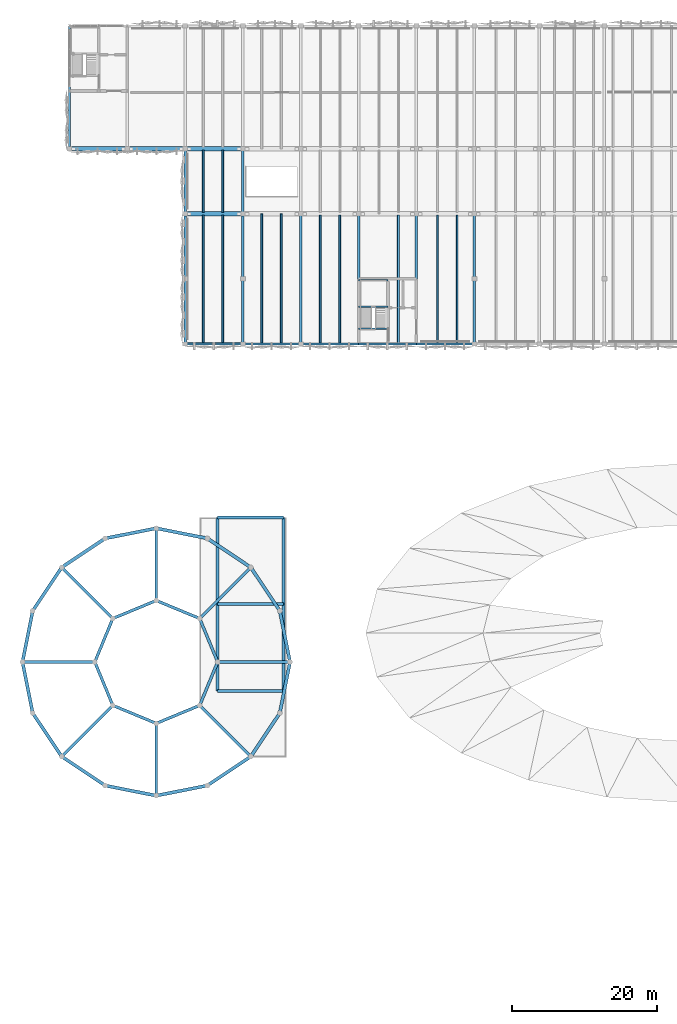
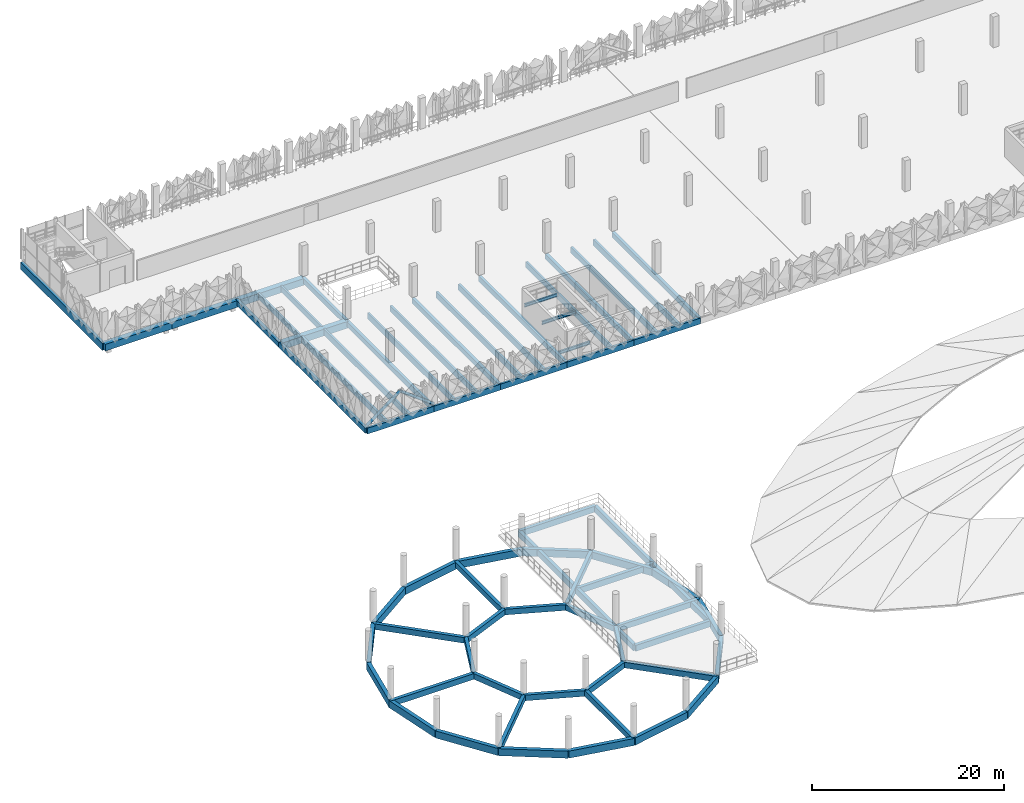
# One storey, part 8 of 52: 71 beams, 2 members.
"""IFC4 building model written with IfcOpenShell, lengths in metres."""

from ifc_helpers import new_model, si_unit, derived_unit, direction, frame, origin, origin_2d, place, context, subcontext, project, spatial, rectangle, hollow_circle, i_section, extrude, material, material_profile, profile_set, type_object, element, save


model = new_model("IFC4")

# Units and contexts
model_context = context("Model", 3, precision=1e-05, world=origin(), true_north=direction((0.0, 1.0)))
body_context = subcontext(model_context, "Body", "Model", "MODEL_VIEW")
ifc_project = project(units=[si_unit("LENGTHUNIT", "METRE"), si_unit("AREAUNIT", "SQUARE_METRE"), si_unit("VOLUMEUNIT", "CUBIC_METRE"), si_unit("PLANEANGLEUNIT", "RADIAN"), si_unit("MASSUNIT", "GRAM", prefix="KILO"), si_unit("THERMODYNAMICTEMPERATUREUNIT", "KELVIN"), derived_unit("THERMALTRANSMITTANCEUNIT", [(si_unit("POWERUNIT", "WATT"), 1), (si_unit("AREAUNIT", "SQUARE_METRE"), -1), (si_unit("THERMODYNAMICTEMPERATUREUNIT", "KELVIN"), -1)])], contexts=[model_context])

# Site, building, storey
site_placement = place(None, origin())
site = spatial("IfcSite", under=ifc_project, at=site_placement, CompositionType="ELEMENT")
building_placement = place(site_placement, origin())
building = spatial("IfcBuilding", under=site, at=building_placement, Name="Haiyu Intermodal Mobility Hub", CompositionType="ELEMENT")
storey_placement = place(building_placement, frame((0.0, 0.0, 21.199951171875)))
storey = spatial("IfcBuildingStorey", under=building, at=storey_placement, Name="L05", CompositionType="ELEMENT", Elevation=21.199951171875)

# Beams
ifc_material_1 = material(Name="Concrete C40", Category="concrete")
ifc_material_profile_1 = material_profile(ifc_material_1, rectangle(XDim=0.39990234375, YDim=0.75, at=origin_2d()), Name="RCB400x750")
ifc_profile_set_1 = profile_set([ifc_material_profile_1], Name="Concrete C40")
beam_type_1 = type_object("IfcBeamType", Name="BM-CB03", PredefinedType="BEAM", material=ifc_profile_set_1)
for number, where, z_axis, x_axis, name in (
    (1, (42.5, 56.0, -0.655029296875), (1.0, 0.0, 0.0), (0.0, 1.0, 0.0), "BM-RMPL-L05-033"),
    (2, (42.5, 68.0, -0.655029296875), (1.0, 0.0, 0.0), (0.0, 1.0, 0.0), "BM-RMPL-L05-034"),
    (3, (42.5, 80.0, -0.655029296875), (1.0, 0.0, 0.0), (0.0, 1.0, 0.0), "BM-RMPL-L05-035"),
):
    element("IfcBeam", number, at=place(storey_placement, frame(where, z_axis=z_axis, x_axis=x_axis)), inside=storey, type_object=beam_type_1, Name=name, PredefinedType="BEAM", context=body_context, shape_type="SweptSolid", body=[
        extrude(rectangle(XDim=0.39990234375, YDim=0.75, at=origin_2d()), origin(), (0.0, 0.0, 1.0), 9.10009765625),
    ])
for number, where, z_axis, x_axis, name in (
    (4, (51.60009765625, 56.0, -0.655029296875), (0.0, 1.0, 0.0), (-1.0, 0.0, 0.0), "BM-RMPLE-L05-036"),
    (5, (42.5, 56.0, -0.655029296875), (0.0, 1.0, 0.0), (-1.0, 0.0, 0.0), "BM-RMPLW-L05-037"),
    (6, (51.60009765625, 68.0, -0.655029296875), (0.0, 1.0, 0.0), (-1.0, 0.0, 0.0), "BM-RMPLE-L05-038"),
    (7, (42.5, 68.0, -0.655029296875), (0.0, 1.0, 0.0), (-1.0, 0.0, 0.0), "BM-RMPLW-L05-039"),
):
    element("IfcBeam", number, at=place(storey_placement, frame(where, z_axis=z_axis, x_axis=x_axis)), inside=storey, type_object=beam_type_1, Name=name, PredefinedType="BEAM", context=body_context, shape_type="SweptSolid", body=[
        extrude(rectangle(XDim=0.39990234375, YDim=0.75, at=origin_2d()), origin(), (0.0, 0.0, 1.0), 12.0),
    ])
ifc_material_profile_2 = material_profile(ifc_material_1, rectangle(XDim=0.35009765625, YDim=0.64990234375, at=origin_2d()), Name="RCB350x650")
ifc_profile_set_2 = profile_set([ifc_material_profile_2], Name="Concrete C40")
beam_type_2 = type_object("IfcBeamType", Name="BM-CB04", PredefinedType="BEAM", material=ifc_profile_set_2)
beam_1_placement = place(storey_placement, frame((38.0, 104.0, -0.599853515625), z_axis=(0.0, 1.0, 0.0), x_axis=(-1.0, 0.0, 0.0)))
element("IfcBeam", 8, at=beam_1_placement, inside=storey, type_object=beam_type_2, Name="BM-V4E-L05-003", PredefinedType="BEAM", context=body_context, shape_type="SweptSolid", body=[
    extrude(rectangle(XDim=0.35009765625, YDim=0.64990234375, at=origin_2d()), origin(), (0.0, 0.0, 1.0), 18.0),
])
beam_2_placement = place(storey_placement, frame((38.0, 122.0, -0.599853515625), z_axis=(0.0, 1.0, 0.0), x_axis=(-1.0, 0.0, 0.0)))
element("IfcBeam", 9, at=beam_2_placement, inside=storey, type_object=beam_type_2, Name="BM-V4E-L05-004", PredefinedType="BEAM", context=body_context, shape_type="SweptSolid", body=[
    extrude(rectangle(XDim=0.35009765625, YDim=0.64990234375, at=origin_2d()), origin(), (0.0, 0.0, 1.0), 9.0),
])
beam_3_placement = place(storey_placement, frame((46.0, 104.0, -0.599853515625), z_axis=(0.0, 1.0, 0.0), x_axis=(-1.0, 0.0, 0.0)))
element("IfcBeam", 10, at=beam_3_placement, inside=storey, type_object=beam_type_2, Name="BM-V4E-L05-006", PredefinedType="BEAM", context=body_context, shape_type="SweptSolid", body=[
    extrude(rectangle(XDim=0.35009765625, YDim=0.64990234375, at=origin_2d()), origin(), (0.0, 0.0, 1.0), 18.0),
])
beam_4_placement = place(storey_placement, frame((46.0, 122.0, -0.599853515625), z_axis=(0.0, 1.0, 0.0), x_axis=(-1.0, 0.0, 0.0)))
element("IfcBeam", 11, at=beam_4_placement, inside=storey, type_object=beam_type_2, Name="BM-V4E-L05-007", PredefinedType="BEAM", context=body_context, shape_type="SweptSolid", body=[
    extrude(rectangle(XDim=0.35009765625, YDim=0.64990234375, at=origin_2d()), origin(), (0.0, 0.0, 1.0), 9.0),
])
for number, where, z_axis, x_axis, name in (
    (12, (54.0, 104.0, -0.599853515625), (0.0, 1.0, 0.0), (-1.0, 0.0, 0.0), "BM-V4E-L05-009"),
    (13, (62.0, 104.0, -0.599853515625), (0.0, 1.0, 0.0), (-1.0, 0.0, 0.0), "BM-V4E-L05-012"),
    (14, (70.0, 104.0, -0.599853515625), (0.0, 1.0, 0.0), (-1.0, 0.0, 0.0), "BM-V4E-L05-015"),
    (15, (78.0, 104.0, -0.599853515625), (0.0, 1.0, 0.0), (-1.0, 0.0, 0.0), "BM-V4E-L05-018"),
):
    element("IfcBeam", number, at=place(storey_placement, frame(where, z_axis=z_axis, x_axis=x_axis)), inside=storey, type_object=beam_type_2, Name=name, PredefinedType="BEAM", context=body_context, shape_type="SweptSolid", body=[
        extrude(rectangle(XDim=0.35009765625, YDim=0.64990234375, at=origin_2d()), origin(), (0.0, 0.0, 1.0), 18.0),
    ])
ifc_material_profile_3 = material_profile(ifc_material_1, rectangle(XDim=0.449951171875, YDim=0.89990234375, at=origin_2d()), Name="RCB450x900")
ifc_profile_set_3 = profile_set([ifc_material_profile_3], Name="Concrete C40")
beam_type_3 = type_object("IfcBeamType", Name="BM-CB10", PredefinedType="BEAM", material=ifc_profile_set_3)
beam_5_placement = place(storey_placement, frame((52.5, 60.0, -0.72998046875), z_axis=(-0.195042866972, 0.980794718605, 0.0), x_axis=(-0.980794718605, -0.195042866972, 0.0)))
element("IfcBeam", 16, at=beam_5_placement, inside=storey, type_object=beam_type_3, Name="BM-RMP-O-L05-001", PredefinedType="BEAM", context=body_context, shape_type="SweptSolid", body=[
    extrude(rectangle(XDim=0.449951171875, YDim=0.89990234375, at=origin_2d()), origin(), (0.0, 0.0, 1.0), 7.21875),
])
for number, where, z_axis, x_axis, name in (
    (17, (51.092041015625, 67.080078125, -0.72998046875), (-0.555691099877, 0.831388838942, 0.0), (-0.831388838942, -0.555691099877, 0.0), "BM-RMP-O-L05-002"),
    (18, (47.0810546875, 73.0810546875, -0.72998046875), (-0.831388838942, 0.555691099877, 0.0), (-0.555691099877, -0.831388838942, 0.0), "BM-RMP-O-L05-003"),
):
    element("IfcBeam", number, at=place(storey_placement, frame(where, z_axis=z_axis, x_axis=x_axis)), inside=storey, type_object=beam_type_3, Name=name, PredefinedType="BEAM", context=body_context, shape_type="SweptSolid", body=[
        extrude(rectangle(XDim=0.449951171875, YDim=0.89990234375, at=origin_2d()), origin(), (0.0, 0.0, 1.0), 7.218017578125),
    ])
for number, where, z_axis, x_axis, name in (
    (19, (41.080078125, 77.092041015625, -0.72998046875), (-0.980794718605, 0.195042866972, 0.0), (-0.195042866972, -0.980794718605, 0.0), "BM-RMP-O-L05-004"),
    (20, (34.0, 78.5, -0.72998046875), (-0.980794718605, -0.195042866972, 0.0), (0.195042866972, -0.980794718605, 0.0), "BM-RMP-O-L05-005"),
):
    element("IfcBeam", number, at=place(storey_placement, frame(where, z_axis=z_axis, x_axis=x_axis)), inside=storey, type_object=beam_type_3, Name=name, PredefinedType="BEAM", context=body_context, shape_type="SweptSolid", body=[
        extrude(rectangle(XDim=0.449951171875, YDim=0.89990234375, at=origin_2d()), origin(), (0.0, 0.0, 1.0), 7.21875),
    ])
for number, where, z_axis, x_axis, name in (
    (21, (26.919921875, 77.092041015625, -0.72998046875), (-0.831388838942, -0.555691099877, 0.0), (0.555691099877, -0.831388838942, 0.0), "BM-RMP-O-L05-006"),
    (22, (20.9189453125, 73.0810546875, -0.72998046875), (-0.555691099877, -0.831388838942, 0.0), (0.831388838942, -0.555691099877, 0.0), "BM-RMP-O-L05-007"),
):
    element("IfcBeam", number, at=place(storey_placement, frame(where, z_axis=z_axis, x_axis=x_axis)), inside=storey, type_object=beam_type_3, Name=name, PredefinedType="BEAM", context=body_context, shape_type="SweptSolid", body=[
        extrude(rectangle(XDim=0.449951171875, YDim=0.89990234375, at=origin_2d()), origin(), (0.0, 0.0, 1.0), 7.218017578125),
    ])
for number, where, z_axis, x_axis, name in (
    (23, (16.907958984375, 67.080078125, -0.72998046875), (-0.195042866972, -0.980794718605, 0.0), (0.980794718605, -0.195042866972, 0.0), "BM-RMP-O-L05-008"),
    (24, (15.5, 60.0, -0.72998046875), (0.195042866972, -0.980794718605, 0.0), (0.980794718605, 0.195042866972, 0.0), "BM-RMP-O-L05-009"),
):
    element("IfcBeam", number, at=place(storey_placement, frame(where, z_axis=z_axis, x_axis=x_axis)), inside=storey, type_object=beam_type_3, Name=name, PredefinedType="BEAM", context=body_context, shape_type="SweptSolid", body=[
        extrude(rectangle(XDim=0.449951171875, YDim=0.89990234375, at=origin_2d()), origin(), (0.0, 0.0, 1.0), 7.21875),
    ])
for number, where, z_axis, x_axis, name in (
    (25, (16.907958984375, 52.919921875, -0.72998046875), (0.555691099877, -0.831388838942, 0.0), (0.831388838942, 0.555691099877, 0.0), "BM-RMP-O-L05-010"),
    (26, (20.9189453125, 46.9189453125, -0.72998046875), (0.831388838942, -0.555691099877, 0.0), (0.555691099877, 0.831388838942, 0.0), "BM-RMP-O-L05-011"),
):
    element("IfcBeam", number, at=place(storey_placement, frame(where, z_axis=z_axis, x_axis=x_axis)), inside=storey, type_object=beam_type_3, Name=name, PredefinedType="BEAM", context=body_context, shape_type="SweptSolid", body=[
        extrude(rectangle(XDim=0.449951171875, YDim=0.89990234375, at=origin_2d()), origin(), (0.0, 0.0, 1.0), 7.218017578125),
    ])
for number, where, z_axis, x_axis, name in (
    (27, (26.919921875, 42.907958984375, -0.72998046875), (0.980794718605, -0.195042866972, 0.0), (0.195042866972, 0.980794718605, 0.0), "BM-RMP-O-L05-012"),
    (28, (34.0, 41.5, -0.72998046875), (0.980794718605, 0.195042866972, 0.0), (-0.195042866972, 0.980794718605, 0.0), "BM-RMP-O-L05-013"),
):
    element("IfcBeam", number, at=place(storey_placement, frame(where, z_axis=z_axis, x_axis=x_axis)), inside=storey, type_object=beam_type_3, Name=name, PredefinedType="BEAM", context=body_context, shape_type="SweptSolid", body=[
        extrude(rectangle(XDim=0.449951171875, YDim=0.89990234375, at=origin_2d()), origin(), (0.0, 0.0, 1.0), 7.21875),
    ])
for number, where, z_axis, x_axis, name in (
    (29, (41.080078125, 42.907958984375, -0.72998046875), (0.831388838942, 0.555691099877, 0.0), (-0.555691099877, 0.831388838942, 0.0), "BM-RMP-O-L05-014"),
    (30, (47.0810546875, 46.9189453125, -0.72998046875), (0.555691099877, 0.831388838942, 0.0), (-0.831388838942, 0.555691099877, 0.0), "BM-RMP-O-L05-015"),
):
    element("IfcBeam", number, at=place(storey_placement, frame(where, z_axis=z_axis, x_axis=x_axis)), inside=storey, type_object=beam_type_3, Name=name, PredefinedType="BEAM", context=body_context, shape_type="SweptSolid", body=[
        extrude(rectangle(XDim=0.449951171875, YDim=0.89990234375, at=origin_2d()), origin(), (0.0, 0.0, 1.0), 7.218017578125),
    ])
beam_6_placement = place(storey_placement, frame((51.092041015625, 52.919921875, -0.72998046875), z_axis=(0.195042866972, 0.980794718605, 0.0), x_axis=(-0.980794718605, 0.195042866972, 0.0)))
element("IfcBeam", 31, at=beam_6_placement, inside=storey, type_object=beam_type_3, Name="BM-RMP-O-L05-016", PredefinedType="BEAM", context=body_context, shape_type="SweptSolid", body=[
    extrude(rectangle(XDim=0.449951171875, YDim=0.89990234375, at=origin_2d()), origin(), (0.0, 0.0, 1.0), 7.21875),
])
ifc_material_profile_4 = material_profile(ifc_material_1, rectangle(XDim=0.39990234375, YDim=0.719970703125, at=origin_2d()), Name="RCB400x720")
ifc_profile_set_4 = profile_set([ifc_material_profile_4], Name="Concrete C40")
beam_type_4 = type_object("IfcBeamType", Name="BM-CB11", PredefinedType="BEAM", material=ifc_profile_set_4)
beam_7_placement = place(storey_placement, frame((42.5, 60.0, -0.639892578125), z_axis=(-0.382757258538, 0.923848949253, 0.0), x_axis=(-0.923848949253, -0.382757258538, 0.0)))
element("IfcBeam", 32, at=beam_7_placement, inside=storey, type_object=beam_type_4, Name="BM-RMP-I-L05-017", PredefinedType="BEAM", context=body_context, shape_type="SweptSolid", body=[
    extrude(rectangle(XDim=0.39990234375, YDim=0.719970703125, at=origin_2d()), origin(), (0.0, 0.0, 1.0), 6.50537109375),
])
beam_8_placement = place(storey_placement, frame((42.5, 60.0, -0.639892578125), z_axis=(1.0, 0.0, 0.0), x_axis=(0.0, 1.0, 0.0)))
element("IfcBeam", 33, at=beam_8_placement, inside=storey, type_object=beam_type_4, Name="BM-RMP-R-L05-018", PredefinedType="BEAM", context=body_context, shape_type="SweptSolid", body=[
    extrude(rectangle(XDim=0.39990234375, YDim=0.719970703125, at=origin_2d()), origin(), (0.0, 0.0, 1.0), 10.0),
])
beam_9_placement = place(storey_placement, frame((40.010009765625, 66.010009765625, -0.639892578125), z_axis=(-0.923848949253, 0.382757258538, 0.0), x_axis=(-0.382757258538, -0.923848949253, 0.0)))
element("IfcBeam", 34, at=beam_9_placement, inside=storey, type_object=beam_type_4, Name="BM-RMP-I-L05-019", PredefinedType="BEAM", context=body_context, shape_type="SweptSolid", body=[
    extrude(rectangle(XDim=0.39990234375, YDim=0.719970703125, at=origin_2d()), origin(), (0.0, 0.0, 1.0), 6.50537109375),
])
beam_10_placement = place(storey_placement, frame((40.010009765625, 66.010009765625, -0.639892578125), z_axis=(0.707106781187, 0.707106781187, 0.0), x_axis=(-0.707106781187, 0.707106781187, 0.0)))
element("IfcBeam", 35, at=beam_10_placement, inside=storey, type_object=beam_type_4, Name="BM-RMP-R-L05-020", PredefinedType="BEAM", context=body_context, shape_type="SweptSolid", body=[
    extrude(rectangle(XDim=0.39990234375, YDim=0.719970703125, at=origin_2d()), origin(), (0.0, 0.0, 1.0), 10.0),
])
beam_11_placement = place(storey_placement, frame((34.0, 68.5, -0.639892578125), z_axis=(-0.923848949253, -0.382757258538, 0.0), x_axis=(0.382757258538, -0.923848949253, 0.0)))
element("IfcBeam", 36, at=beam_11_placement, inside=storey, type_object=beam_type_4, Name="BM-RMP-I-L05-021", PredefinedType="BEAM", context=body_context, shape_type="SweptSolid", body=[
    extrude(rectangle(XDim=0.39990234375, YDim=0.719970703125, at=origin_2d()), origin(), (0.0, 0.0, 1.0), 6.50537109375),
])
beam_12_placement = place(storey_placement, frame((34.0, 68.5, -0.639892578125), z_axis=(0.0, 1.0, 0.0), x_axis=(-1.0, 0.0, 0.0)))
element("IfcBeam", 37, at=beam_12_placement, inside=storey, type_object=beam_type_4, Name="BM-RMP-R-L05-022", PredefinedType="BEAM", context=body_context, shape_type="SweptSolid", body=[
    extrude(rectangle(XDim=0.39990234375, YDim=0.719970703125, at=origin_2d()), origin(), (0.0, 0.0, 1.0), 10.0),
])
beam_13_placement = place(storey_placement, frame((27.989990234375, 66.010009765625, -0.639892578125), z_axis=(-0.382757258538, -0.923848949253, 0.0), x_axis=(0.923848949253, -0.382757258538, 0.0)))
element("IfcBeam", 38, at=beam_13_placement, inside=storey, type_object=beam_type_4, Name="BM-RMP-I-L05-023", PredefinedType="BEAM", context=body_context, shape_type="SweptSolid", body=[
    extrude(rectangle(XDim=0.39990234375, YDim=0.719970703125, at=origin_2d()), origin(), (0.0, 0.0, 1.0), 6.50537109375),
])
beam_14_placement = place(storey_placement, frame((27.989990234375, 66.010009765625, -0.639892578125), z_axis=(-0.707106781187, 0.707106781187, 0.0), x_axis=(-0.707106781187, -0.707106781187, 0.0)))
element("IfcBeam", 39, at=beam_14_placement, inside=storey, type_object=beam_type_4, Name="BM-RMP-R-L05-024", PredefinedType="BEAM", context=body_context, shape_type="SweptSolid", body=[
    extrude(rectangle(XDim=0.39990234375, YDim=0.719970703125, at=origin_2d()), origin(), (0.0, 0.0, 1.0), 10.0),
])
beam_15_placement = place(storey_placement, frame((25.5, 60.0, -0.639892578125), z_axis=(0.382757258538, -0.923848949253, 0.0), x_axis=(0.923848949253, 0.382757258538, 0.0)))
element("IfcBeam", 40, at=beam_15_placement, inside=storey, type_object=beam_type_4, Name="BM-RMP-I-L05-025", PredefinedType="BEAM", context=body_context, shape_type="SweptSolid", body=[
    extrude(rectangle(XDim=0.39990234375, YDim=0.719970703125, at=origin_2d()), origin(), (0.0, 0.0, 1.0), 6.50537109375),
])
beam_16_placement = place(storey_placement, frame((25.5, 60.0, -0.639892578125), z_axis=(-1.0, 0.0, 0.0), x_axis=(0.0, -1.0, 0.0)))
element("IfcBeam", 41, at=beam_16_placement, inside=storey, type_object=beam_type_4, Name="BM-RMP-R-L05-026", PredefinedType="BEAM", context=body_context, shape_type="SweptSolid", body=[
    extrude(rectangle(XDim=0.39990234375, YDim=0.719970703125, at=origin_2d()), origin(), (0.0, 0.0, 1.0), 10.0),
])
beam_17_placement = place(storey_placement, frame((27.989990234375, 53.989990234375, -0.639892578125), z_axis=(0.923848949253, -0.382757258538, 0.0), x_axis=(0.382757258538, 0.923848949253, 0.0)))
element("IfcBeam", 42, at=beam_17_placement, inside=storey, type_object=beam_type_4, Name="BM-RMP-I-L05-027", PredefinedType="BEAM", context=body_context, shape_type="SweptSolid", body=[
    extrude(rectangle(XDim=0.39990234375, YDim=0.719970703125, at=origin_2d()), origin(), (0.0, 0.0, 1.0), 6.50537109375),
])
beam_18_placement = place(storey_placement, frame((27.989990234375, 53.989990234375, -0.639892578125), z_axis=(-0.707106781187, -0.707106781187, 0.0), x_axis=(0.707106781187, -0.707106781187, 0.0)))
element("IfcBeam", 43, at=beam_18_placement, inside=storey, type_object=beam_type_4, Name="BM-RMP-R-L05-028", PredefinedType="BEAM", context=body_context, shape_type="SweptSolid", body=[
    extrude(rectangle(XDim=0.39990234375, YDim=0.719970703125, at=origin_2d()), origin(), (0.0, 0.0, 1.0), 10.0),
])
beam_19_placement = place(storey_placement, frame((34.0, 51.5, -0.639892578125), z_axis=(0.923848949253, 0.382757258538, 0.0), x_axis=(-0.382757258538, 0.923848949253, 0.0)))
element("IfcBeam", 44, at=beam_19_placement, inside=storey, type_object=beam_type_4, Name="BM-RMP-I-L05-029", PredefinedType="BEAM", context=body_context, shape_type="SweptSolid", body=[
    extrude(rectangle(XDim=0.39990234375, YDim=0.719970703125, at=origin_2d()), origin(), (0.0, 0.0, 1.0), 6.50537109375),
])
beam_20_placement = place(storey_placement, frame((34.0, 51.5, -0.639892578125), z_axis=(0.0, -1.0, 0.0), x_axis=(1.0, 0.0, 0.0)))
element("IfcBeam", 45, at=beam_20_placement, inside=storey, type_object=beam_type_4, Name="BM-RMP-R-L05-030", PredefinedType="BEAM", context=body_context, shape_type="SweptSolid", body=[
    extrude(rectangle(XDim=0.39990234375, YDim=0.719970703125, at=origin_2d()), origin(), (0.0, 0.0, 1.0), 10.0),
])
beam_21_placement = place(storey_placement, frame((40.010009765625, 53.989990234375, -0.639892578125), z_axis=(0.382757258538, 0.923848949253, 0.0), x_axis=(-0.923848949253, 0.382757258538, 0.0)))
element("IfcBeam", 46, at=beam_21_placement, inside=storey, type_object=beam_type_4, Name="BM-RMP-I-L05-031", PredefinedType="BEAM", context=body_context, shape_type="SweptSolid", body=[
    extrude(rectangle(XDim=0.39990234375, YDim=0.719970703125, at=origin_2d()), origin(), (0.0, 0.0, 1.0), 6.50537109375),
])
beam_22_placement = place(storey_placement, frame((40.010009765625, 53.989990234375, -0.639892578125), z_axis=(0.707106781187, -0.707106781187, 0.0), x_axis=(0.707106781187, 0.707106781187, 0.0)))
element("IfcBeam", 47, at=beam_22_placement, inside=storey, type_object=beam_type_4, Name="BM-RMP-R-L05-032", PredefinedType="BEAM", context=body_context, shape_type="SweptSolid", body=[
    extrude(rectangle(XDim=0.39990234375, YDim=0.719970703125, at=origin_2d()), origin(), (0.0, 0.0, 1.0), 10.0),
])
ifc_material_2 = material(Name="Precast concrete C50", Category="concrete")
ifc_material_profile_5 = material_profile(ifc_material_2, rectangle(XDim=0.25, YDim=0.75, at=origin_2d()), Name="B250x750")
ifc_profile_set_5 = profile_set([ifc_material_profile_5], Name="Precast concrete C50")
beam_type_5 = type_object("IfcBeamType", Name="BM-DT05", PredefinedType="JOIST", material=ifc_profile_set_5)
for number, where, z_axis, x_axis, name in (
    (48, (40.5, 104.0, -0.64990234375), (0.0, 1.0, 0.0), (-1.0, 0.0, 0.0), "BM-DT-L05-001"),
    (49, (43.199951171875, 104.0, -0.64990234375), (0.0, 1.0, 0.0), (-1.0, 0.0, 0.0), "BM-DT-L05-004"),
):
    element("IfcBeam", number, at=place(storey_placement, frame(where, z_axis=z_axis, x_axis=x_axis)), inside=storey, type_object=beam_type_5, Name=name, PredefinedType="JOIST", context=body_context, shape_type="SweptSolid", body=[
        extrude(rectangle(XDim=0.25, YDim=0.75, at=origin_2d()), origin(), (0.0, 0.0, 1.0), 17.804931640625),
    ])
for number, where, z_axis, x_axis, name in (
    (50, (48.60009765625, 104.0, -0.64990234375), (0.0, 1.0, 0.0), (-1.0, 0.0, 0.0), "BM-DT-L05-007"),
    (51, (51.300048828125, 104.0, -0.64990234375), (0.0, 1.0, 0.0), (-1.0, 0.0, 0.0), "BM-DT-L05-009"),
):
    element("IfcBeam", number, at=place(storey_placement, frame(where, z_axis=z_axis, x_axis=x_axis)), inside=storey, type_object=beam_type_5, Name=name, PredefinedType="JOIST", context=body_context, shape_type="SweptSolid", body=[
        extrude(rectangle(XDim=0.25, YDim=0.75, at=origin_2d()), origin(), (0.0, 0.0, 1.0), 18.0),
    ])
for number, where, z_axis, x_axis, name in (
    (52, (56.699951171875, 104.0, -0.64990234375), (0.0, 1.0, 0.0), (-1.0, 0.0, 0.0), "BM-DT-L05-011"),
    (53, (59.39990234375, 104.0, -0.64990234375), (0.0, 1.0, 0.0), (-1.0, 0.0, 0.0), "BM-DT-L05-014"),
    (54, (67.5, 104.0, -0.64990234375), (0.0, 1.0, 0.0), (-1.0, 0.0, 0.0), "BM-DT-L05-020"),
    (55, (72.89990234375, 104.0, -0.64990234375), (0.0, 1.0, 0.0), (-1.0, 0.0, 0.0), "BM-DT-L05-023"),
    (56, (75.60009765625, 104.0, -0.64990234375), (0.0, 1.0, 0.0), (-1.0, 0.0, 0.0), "BM-DT-L05-026"),
):
    element("IfcBeam", number, at=place(storey_placement, frame(where, z_axis=z_axis, x_axis=x_axis)), inside=storey, type_object=beam_type_5, Name=name, PredefinedType="JOIST", context=body_context, shape_type="SweptSolid", body=[
        extrude(rectangle(XDim=0.25, YDim=0.75, at=origin_2d()), origin(), (0.0, 0.0, 1.0), 17.804931640625),
    ])
ifc_material_profile_6 = material_profile(ifc_material_2, rectangle(XDim=0.22998046875, YDim=0.68994140625, at=origin_2d()), Name="B230x690")
ifc_profile_set_6 = profile_set([ifc_material_profile_6], Name="Precast concrete C50")
beam_type_6 = type_object("IfcBeamType", Name="BM-DT06", PredefinedType="JOIST", material=ifc_profile_set_6)
for number, where, z_axis, x_axis, name in (
    (57, (40.5, 122.195068359375, -0.619873046875), (0.0, 1.0, 0.0), (-1.0, 0.0, 0.0), "BM-DT-L05-002"),
    (58, (43.199951171875, 122.195068359375, -0.619873046875), (0.0, 1.0, 0.0), (-1.0, 0.0, 0.0), "BM-DT-L05-005"),
):
    element("IfcBeam", number, at=place(storey_placement, frame(where, z_axis=z_axis, x_axis=x_axis)), inside=storey, type_object=beam_type_6, Name=name, PredefinedType="JOIST", context=body_context, shape_type="SweptSolid", body=[
        extrude(rectangle(XDim=0.22998046875, YDim=0.68994140625, at=origin_2d()), origin(), (0.0, 0.0, 1.0), 8.60986328125),
    ])
ifc_material_profile_7 = material_profile(ifc_material_2, rectangle(XDim=0.64990234375, YDim=0.85009765625, at=origin_2d()), Name="PC650x850")
ifc_profile_set_7 = profile_set([ifc_material_profile_7], Name="Precast concrete C50")
beam_type_7 = type_object("IfcBeamType", Name="BM-IT03", PredefinedType="T_BEAM", material=ifc_profile_set_7)
for number, where, z_axis, x_axis, name in (
    (59, (38.0, 122.0, -0.699951171875), (1.0, 0.0, 0.0), (0.0, 1.0, 0.0), "BM-V4G-L05-013"),
    (60, (22.0, 131.0, -0.699951171875), (1.0, 0.0, 0.0), (0.0, 1.0, 0.0), "BM-V4G-L05-025"),
    (61, (30.0, 131.0, -0.699951171875), (1.0, 0.0, 0.0), (0.0, 1.0, 0.0), "BM-V4G-L05-026"),
    (62, (38.0, 131.0, -0.699951171875), (1.0, 0.0, 0.0), (0.0, 1.0, 0.0), "BM-V4G-L05-027"),
):
    element("IfcBeam", number, at=place(storey_placement, frame(where, z_axis=z_axis, x_axis=x_axis)), inside=storey, type_object=beam_type_7, Name=name, PredefinedType="T_BEAM", context=body_context, shape_type="SweptSolid", body=[
        extrude(rectangle(XDim=0.64990234375, YDim=0.85009765625, at=origin_2d()), origin(), (0.0, 0.0, 1.0), 8.0),
    ])
ifc_material_3 = material(Name="Steel Q355C", Category="steel")
ifc_material_profile_8 = material_profile(ifc_material_3, i_section(OverallWidth=0.199951171875, OverallDepth=0.39990234375, WebThickness=0.008056640625, FlangeThickness=0.012939453125, FilletRadius=0.01611328125, at=origin_2d()), Name="HN400x200x8x13")
ifc_profile_set_8 = profile_set([ifc_material_profile_8], Name="Steel Q355C")
beam_type_8 = type_object("IfcBeamType", Name="BM-SB08", PredefinedType="JOIST", material=ifc_profile_set_8)
for number, where, z_axis, x_axis, name in (
    (63, (62.0, 106.10009765625, -0.52490234375), (1.0, 0.0, 0.0), (0.0, 1.0, 0.0), "Stair Arrival Trimmer Beam C5-L04"),
    (64, (62.0, 109.1298828125, 1.525146484375), (1.0, 0.0, 0.0), (0.0, 1.0, 0.0), "Stair Half-Landing Front Beam C5-L05"),
    (65, (62.0, 112.780029296875, 1.525146484375), (1.0, 0.0, 0.0), (0.0, 1.0, 0.0), "Stair Half-Landing Rear Beam C5-L05"),
):
    element("IfcBeam", number, at=place(storey_placement, frame(where, z_axis=z_axis, x_axis=x_axis)), inside=storey, type_object=beam_type_8, Name=name, PredefinedType="JOIST", context=body_context, shape_type="SweptSolid", body=[
        extrude(i_section(OverallWidth=0.199951171875, OverallDepth=0.39990234375, WebThickness=0.008056640625, FlangeThickness=0.012939453125, FilletRadius=0.01611328125, at=origin_2d()), origin(), (0.0, 0.0, 1.0), 4.050048828125),
    ])
ifc_material_4 = material(Name="Precast concrete C40", Category="concrete")
ifc_material_profile_9 = material_profile(ifc_material_4, rectangle(XDim=0.340087890625, YDim=0.89990234375, at=origin_2d()), Name="B340x900")
ifc_profile_set_9 = profile_set([ifc_material_profile_9], Name="Precast concrete C40")
beam_type_9 = type_object("IfcBeamType", Name="BM-SP04", PredefinedType="SPANDREL", material=ifc_profile_set_9)
beam_23_placement = place(storey_placement, frame((22.0, 131.0, -0.724853515625), z_axis=(0.0, 1.0, 0.0), x_axis=(-1.0, 0.0, 0.0)))
element("IfcBeam", 66, at=beam_23_placement, inside=storey, type_object=beam_type_9, Name="BM-V4E-L05-001", PredefinedType="SPANDREL", context=body_context, shape_type="SweptSolid", body=[
    extrude(rectangle(XDim=0.340087890625, YDim=0.89990234375, at=origin_2d()), origin(), (0.0, 0.0, 1.0), 17.0),
])
ifc_material_profile_10 = material_profile(ifc_material_4, rectangle(XDim=0.280029296875, YDim=0.739990234375, at=origin_2d()), Name="B280x740")
ifc_profile_set_10 = profile_set([ifc_material_profile_10], Name="Precast concrete C40")
beam_type_10 = type_object("IfcBeamType", Name="BM-SP05", PredefinedType="SPANDREL", material=ifc_profile_set_10)
for number, where, z_axis, x_axis, name in (
    (67, (38.0, 104.0, -0.64501953125), (1.0, 0.0, 0.0), (0.0, 1.0, 0.0), "BM-V4G-L05-001"),
    (68, (46.0, 104.0, -0.64501953125), (1.0, 0.0, 0.0), (0.0, 1.0, 0.0), "BM-V4G-L05-002"),
    (69, (54.0, 104.0, -0.64501953125), (1.0, 0.0, 0.0), (0.0, 1.0, 0.0), "BM-V4G-L05-003"),
    (70, (62.0, 104.0, -0.64501953125), (1.0, 0.0, 0.0), (0.0, 1.0, 0.0), "BM-V4G-L05-004"),
    (71, (70.0, 104.0, -0.64501953125), (1.0, 0.0, 0.0), (0.0, 1.0, 0.0), "BM-V4G-L05-005"),
):
    element("IfcBeam", number, at=place(storey_placement, frame(where, z_axis=z_axis, x_axis=x_axis)), inside=storey, type_object=beam_type_10, Name=name, PredefinedType="SPANDREL", context=body_context, shape_type="SweptSolid", body=[
        extrude(rectangle(XDim=0.280029296875, YDim=0.739990234375, at=origin_2d()), origin(), (0.0, 0.0, 1.0), 8.0),
    ])

# Members
ifc_material_profile_11 = material_profile(ifc_material_3, hollow_circle(Radius=0.177978515625, WallThickness=0.011962890625, at=origin_2d()), Name="CHS356x12")
ifc_profile_set_11 = profile_set([ifc_material_profile_11], Name="Steel Q355C")
member_type = type_object("IfcMemberType", Name="MEM-BR01", PredefinedType="BRACE", material=ifc_profile_set_11)
for number, where, z_axis, x_axis, name in (
    (72, (38.0, 104.0, 0.0), (0.8, 0.0, 0.6), (0.0, 1.0, 0.0), "Seismic Chevron Brace B4-L05-A"),
    (73, (46.0, 104.0, 0.0), (-0.8, 0.0, 0.6), (0.0, -1.0, 0.0), "Seismic Chevron Brace B4-L05-B"),
):
    element("IfcMember", number, at=place(storey_placement, frame(where, z_axis=z_axis, x_axis=x_axis)), inside=storey, type_object=member_type, Name=name, PredefinedType="BRACE", context=body_context, shape_type="SweptSolid", body=[
        extrude(hollow_circle(Radius=0.177978515625, WallThickness=0.011962890625, at=origin_2d()), origin(), (0.0, 0.0, 1.0), 5.0),
    ])

save(model, "model.ifc")
